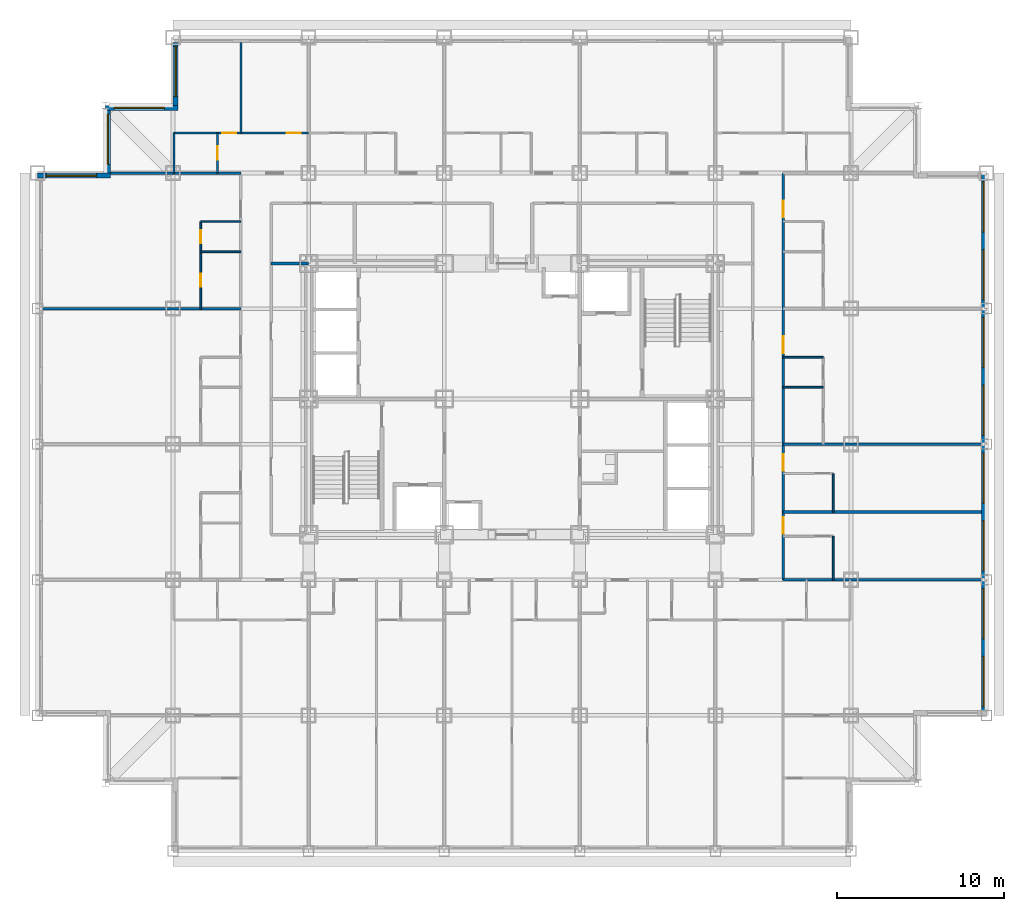
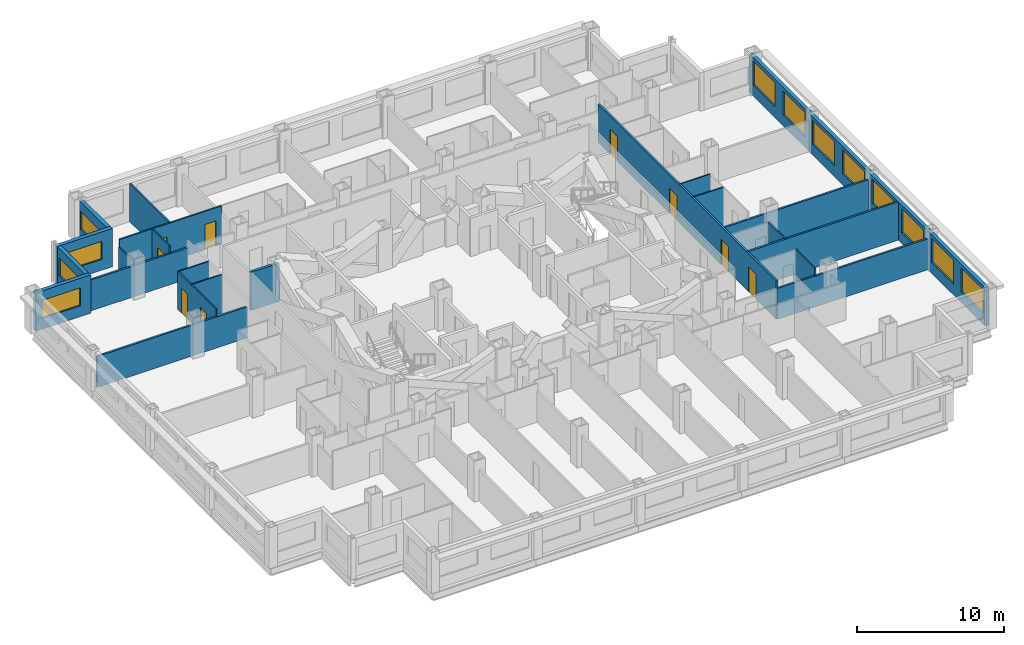
# One storey, part 8 of 13: 23 walls, 12 windows, 9 doors, 21 openings.
"""IFC4 building model written with IfcOpenShell, lengths in metres."""

from ifc_helpers import new_model, si_unit, direction, frame, frame_2d, origin, place, context, subcontext, project, spatial, rectangle, extrude, material, layer, layer_set, type_object, element, fill, save


model = new_model("IFC4")

# Units and contexts
model_context = context("Model", 3, precision=1e-05, world=origin(), true_north=direction((0.0, 1.0)))
body_context = subcontext(model_context, "Body", "Model", "MODEL_VIEW")
ifc_project = project(units=[si_unit("LENGTHUNIT", "METRE"), si_unit("AREAUNIT", "SQUARE_METRE"), si_unit("VOLUMEUNIT", "CUBIC_METRE"), si_unit("PLANEANGLEUNIT", "RADIAN"), si_unit("MASSUNIT", "GRAM", prefix="KILO")], contexts=[model_context])

# Site, building, storey
site_placement = place(None, origin())
site = spatial("IfcSite", under=ifc_project, at=site_placement, CompositionType="ELEMENT")
building_placement = place(site_placement, origin())
building = spatial("IfcBuilding", under=site, at=building_placement, Name="Kopane Lantern Tower", CompositionType="ELEMENT")
storey_placement = place(building_placement, frame((0.0, 0.0, 110.199951171875)))
storey = spatial("IfcBuildingStorey", under=building, at=storey_placement, Name="L27", CompositionType="ELEMENT", Elevation=110.199951171875)

# Wall, openings, doors
ifc_material_1 = material(Name="Gypsum board on steel studs", Category="steel")
ifc_layer_1 = layer(ifc_material_1, 0.1201171875)
ifc_layer_set_1 = layer_set([ifc_layer_1], Name="APARTMENT INTERNAL WALL 120")
wall_type_1 = type_object("IfcWallType", Name="APARTMENT INTERNAL WALL 120", PredefinedType="PARTITIONING", material=ifc_layer_set_1)
wall_1_placement = place(storey_placement, frame((8.14990234375, 48.300048828125, 0.0), z_axis=(0.0, 0.0, 1.0), x_axis=(1.0, 0.0, 0.0)))
wall_1 = element("IfcWall", 1, at=wall_1_placement, inside=storey, type_object=wall_type_1, Name="Apartment Internal Wall 120 L27", PredefinedType="PARTITIONING", context=body_context, shape_type="SweptSolid", body=[
    extrude(rectangle(XDim=8.050048828125, YDim=0.1201171875, at=frame_2d((4.02490234375, 0.0))), origin(), (0.0, 0.0, 1.0), 3.18994140625),
])
opening_1_placement = place(wall_1_placement, frame((6.72509765625, 0.0, 0.0)))
opening_1 = element("IfcOpeningElement", 2, at=opening_1_placement, cuts=wall_1, Name="Opening L27-064", PredefinedType="OPENING", context=body_context, shape_type="SweptSolid", body=[
    extrude(rectangle(XDim=0.85009765625, YDim=2.10009765625, at=frame_2d((0.425048828125, 1.050048828125))), frame((0.0, 0.070068359375, 0.0), z_axis=(0.0, -1.0, 0.0), x_axis=(1.0, 0.0, 0.0)), (0.0, 0.0, 1.0), 0.14013671875),
])
opening_2_placement = place(wall_1_placement, frame((2.875, 0.0, 0.0)))
opening_2 = element("IfcOpeningElement", 3, at=opening_2_placement, cuts=wall_1, Name="Opening L27-066", PredefinedType="OPENING", context=body_context, shape_type="SweptSolid", body=[
    extrude(rectangle(XDim=0.85009765625, YDim=2.10009765625, at=frame_2d((0.425048828125, 1.050048828125))), frame((0.0, 0.070068359375, 0.0), z_axis=(0.0, -1.0, 0.0), x_axis=(1.0, 0.0, 0.0)), (0.0, 0.0, 1.0), 0.14013671875),
])
ifc_material_2 = material(Name="Timber door set", Category="wood")
door_type_1 = type_object("IfcDoorType", Name="DOOR D4 850x2100", OperationType="SINGLE_SWING_LEFT", PredefinedType="DOOR", material=ifc_material_2)
door_1_placement = place(opening_1_placement, origin())
door_1 = element("IfcDoor", 4, at=door_1_placement, inside=storey, type_object=door_type_1, Name="Door L27-064", OperationType="SINGLE_SWING_LEFT", OverallHeight=2.10009765625, OverallWidth=0.85009765625, PredefinedType="DOOR", context=body_context, shape_type="SweptSolid", body=[
    extrude(rectangle(XDim=0.85009765625, YDim=2.10009765625, at=frame_2d((0.425048828125, 1.050048828125))), frame((0.0, 0.02490234375, 0.0), z_axis=(0.0, -1.0, 0.0), x_axis=(1.0, 0.0, 0.0)), (0.0, 0.0, 1.0), 0.050048828125),
])
fill(opening_1, door_1)
door_2_placement = place(opening_2_placement, origin())
door_2 = element("IfcDoor", 5, at=door_2_placement, inside=storey, type_object=door_type_1, Name="Door L27-066", OperationType="SINGLE_SWING_RIGHT", OverallHeight=2.10009765625, OverallWidth=0.85009765625, PredefinedType="DOOR", context=body_context, shape_type="SweptSolid", body=[
    extrude(rectangle(XDim=0.85009765625, YDim=2.10009765625, at=frame_2d((0.425048828125, 1.050048828125))), frame((0.0, 0.02490234375, 0.0), z_axis=(0.0, -1.0, 0.0), x_axis=(1.0, 0.0, 0.0)), (0.0, 0.0, 1.0), 0.050048828125),
])
fill(opening_2, door_2)

# Wall
wall_2_placement = place(storey_placement, frame((12.14990234375, 48.300048828125, 0.0), z_axis=(0.0, 0.0, 1.0), x_axis=(0.0, 1.0, 0.0)))
element("IfcWall", 6, at=wall_2_placement, inside=storey, type_object=wall_type_1, Name="Apartment Internal Wall 120 L27", PredefinedType="PARTITIONING", context=body_context, shape_type="SweptSolid", body=[
    extrude(rectangle(XDim=5.39990234375, YDim=0.1201171875, at=frame_2d((2.699951171875, 0.0))), origin(), (0.0, 0.0, 1.0), 3.18994140625),
])

# Wall, openings, doors
ifc_material_3 = material(Name="Moisture-resistant board on steel studs", Category="steel")
ifc_layer_2 = layer(ifc_material_3, 0.10009765625)
ifc_layer_set_2 = layer_set([ifc_layer_2], Name="BATHROOM WALL 100")
wall_type_2 = type_object("IfcWallType", Name="BATHROOM WALL 100", PredefinedType="PARTITIONING", material=ifc_layer_set_2)
wall_3_placement = place(storey_placement, frame((9.75, 37.800048828125, 0.0), z_axis=(0.0, 0.0, 1.0), x_axis=(0.0, 1.0, 0.0)))
wall_3 = element("IfcWall", 7, at=wall_3_placement, inside=storey, type_object=wall_type_2, Name="Bathroom Wall 100 L27", PredefinedType="PARTITIONING", context=body_context, shape_type="SweptSolid", body=[
    extrude(rectangle(XDim=5.199951171875, YDim=0.10009765625, at=frame_2d((2.60009765625, 0.0))), origin(), (0.0, 0.0, 1.0), 3.18994140625),
])
opening_3_placement = place(wall_3_placement, frame((1.300048828125, 0.0, 0.0)))
opening_3 = element("IfcOpeningElement", 8, at=opening_3_placement, cuts=wall_3, Name="Opening L27-036", PredefinedType="OPENING", context=body_context, shape_type="SweptSolid", body=[
    extrude(rectangle(XDim=0.800048828125, YDim=2.10009765625, at=frame_2d((0.39990234375, 1.050048828125))), frame((0.0, 0.06005859375, 0.0), z_axis=(0.0, -1.0, 0.0), x_axis=(1.0, 0.0, 0.0)), (0.0, 0.0, 1.0), 0.1201171875),
])
opening_4_placement = place(wall_3_placement, frame((3.89990234375, 0.0, 0.0)))
opening_4 = element("IfcOpeningElement", 9, at=opening_4_placement, cuts=wall_3, Name="Opening L27-037", PredefinedType="OPENING", context=body_context, shape_type="SweptSolid", body=[
    extrude(rectangle(XDim=0.800048828125, YDim=2.10009765625, at=frame_2d((0.39990234375, 1.050048828125))), frame((0.0, 0.06005859375, 0.0), z_axis=(0.0, -1.0, 0.0), x_axis=(1.0, 0.0, 0.0)), (0.0, 0.0, 1.0), 0.1201171875),
])
ifc_material_4 = material(Name="Timber door set", Category="wood")
door_type_2 = type_object("IfcDoorType", Name="DOOR D2 800x2100", OperationType="SINGLE_SWING_LEFT", PredefinedType="DOOR", material=ifc_material_4)
door_3_placement = place(opening_3_placement, origin())
door_3 = element("IfcDoor", 10, at=door_3_placement, inside=storey, type_object=door_type_2, Name="Door L27-036", OperationType="SINGLE_SWING_LEFT", OverallHeight=2.10009765625, OverallWidth=0.800048828125, PredefinedType="DOOR", context=body_context, shape_type="SweptSolid", body=[
    extrude(rectangle(XDim=0.800048828125, YDim=2.10009765625, at=frame_2d((0.39990234375, 1.050048828125))), frame((0.0, 0.02490234375, 0.0), z_axis=(0.0, -1.0, 0.0), x_axis=(1.0, 0.0, 0.0)), (0.0, 0.0, 1.0), 0.050048828125),
])
fill(opening_3, door_3)
door_4_placement = place(opening_4_placement, origin())
door_4 = element("IfcDoor", 11, at=door_4_placement, inside=storey, type_object=door_type_2, Name="Door L27-037", OperationType="SINGLE_SWING_LEFT", OverallHeight=2.10009765625, OverallWidth=0.800048828125, PredefinedType="DOOR", context=body_context, shape_type="SweptSolid", body=[
    extrude(rectangle(XDim=0.800048828125, YDim=2.10009765625, at=frame_2d((0.39990234375, 1.050048828125))), frame((0.0, 0.02490234375, 0.0), z_axis=(0.0, -1.0, 0.0), x_axis=(1.0, 0.0, 0.0)), (0.0, 0.0, 1.0), 0.050048828125),
])
fill(opening_4, door_4)

# Walls
for number, where, z_axis, x_axis, name in (
    (12, (12.14990234375, 41.199951171875, 0.0), (0.0, 0.0, 1.0), (-1.0, 0.0, 0.0), "Bathroom Wall 100 L27"),
    (13, (12.14990234375, 43.0, 0.0), (0.0, 0.0, 1.0), (-1.0, 0.0, 0.0), "Bathroom Wall 100 L27"),
):
    element("IfcWall", number, at=place(storey_placement, frame(where, z_axis=z_axis, x_axis=x_axis)), inside=storey, type_object=wall_type_2, Name=name, PredefinedType="PARTITIONING", context=body_context, shape_type="SweptSolid", body=[
        extrude(rectangle(XDim=2.39990234375, YDim=0.10009765625, at=frame_2d((1.199951171875, 0.0))), origin(), (0.0, 0.0, 1.0), 3.18994140625),
    ])
wall_4_placement = place(storey_placement, frame((47.550048828125, 21.60009765625, 0.0), z_axis=(0.0, 0.0, 1.0), x_axis=(0.0, 1.0, 0.0)))
element("IfcWall", 14, at=wall_4_placement, inside=storey, type_object=wall_type_2, Name="Bathroom Wall 100 L27", PredefinedType="PARTITIONING", context=body_context, shape_type="SweptSolid", body=[
    extrude(rectangle(XDim=2.599853515625, YDim=0.10009765625, at=frame_2d((1.2998046875, 0.0))), origin(), (0.0, 0.0, 1.0), 3.18994140625),
])
wall_5_placement = place(storey_placement, frame((47.550048828125, 25.64990234375, 0.0), z_axis=(0.0, 0.0, 1.0), x_axis=(0.0, 1.0, 0.0)))
element("IfcWall", 15, at=wall_5_placement, inside=storey, type_object=wall_type_2, Name="Bathroom Wall 100 L27", PredefinedType="PARTITIONING", context=body_context, shape_type="SweptSolid", body=[
    extrude(rectangle(XDim=2.300048828125, YDim=0.10009765625, at=frame_2d((1.14990234375, 0.0))), origin(), (0.0, 0.0, 1.0), 3.18994140625),
])
for number, where, z_axis, x_axis, name in (
    (16, (44.550048828125, 33.10009765625, 0.0), (0.0, 0.0, 1.0), (1.0, 0.0, 0.0), "Bathroom Wall 100 L27"),
    (17, (44.550048828125, 34.89990234375, 0.0), (0.0, 0.0, 1.0), (1.0, 0.0, 0.0), "Bathroom Wall 100 L27"),
):
    element("IfcWall", number, at=place(storey_placement, frame(where, z_axis=z_axis, x_axis=x_axis)), inside=storey, type_object=wall_type_2, Name=name, PredefinedType="PARTITIONING", context=body_context, shape_type="SweptSolid", body=[
        extrude(rectangle(XDim=2.39990234375, YDim=0.10009765625, at=frame_2d((1.199951171875, 0.0))), origin(), (0.0, 0.0, 1.0), 3.18994140625),
    ])

# Wall, opening, door
wall_6_placement = place(storey_placement, frame((10.75, 45.89990234375, 0.0), z_axis=(0.0, 0.0, 1.0), x_axis=(0.0, 1.0, 0.0)))
wall_6 = element("IfcWall", 18, at=wall_6_placement, inside=storey, type_object=wall_type_2, Name="Bathroom Wall 100 L27", PredefinedType="PARTITIONING", context=body_context, shape_type="SweptSolid", body=[
    extrude(rectangle(XDim=2.400146484375, YDim=0.10009765625, at=frame_2d((1.2001953125, 0.0))), origin(), (0.0, 0.0, 1.0), 3.18994140625),
])
opening_5_placement = place(wall_6_placement, frame((0.800048828125, 0.0, 0.0)))
opening_5 = element("IfcOpeningElement", 19, at=opening_5_placement, cuts=wall_6, Name="Opening L27-065", PredefinedType="OPENING", context=body_context, shape_type="SweptSolid", body=[
    extrude(rectangle(XDim=0.800048828125, YDim=2.10009765625, at=frame_2d((0.39990234375, 1.050048828125))), frame((0.0, 0.06005859375, 0.0), z_axis=(0.0, -1.0, 0.0), x_axis=(1.0, 0.0, 0.0)), (0.0, 0.0, 1.0), 0.1201171875),
])
door_5_placement = place(opening_5_placement, origin())
door_5 = element("IfcDoor", 20, at=door_5_placement, inside=storey, type_object=door_type_2, Name="Door L27-065", OperationType="SINGLE_SWING_LEFT", OverallHeight=2.10009765625, OverallWidth=0.800048828125, PredefinedType="DOOR", context=body_context, shape_type="SweptSolid", body=[
    extrude(rectangle(XDim=0.800048828125, YDim=2.10009765625, at=frame_2d((0.39990234375, 1.050048828125))), frame((0.0, 0.02490234375, 0.0), z_axis=(0.0, -1.0, 0.0), x_axis=(1.0, 0.0, 0.0)), (0.0, 0.0, 1.0), 0.050048828125),
])
fill(opening_5, door_5)

# Wall
wall_7_placement = place(storey_placement, frame((8.14990234375, 45.89990234375, 0.0), z_axis=(0.0, 0.0, 1.0), x_axis=(0.0, 1.0, 0.0)))
element("IfcWall", 21, at=wall_7_placement, inside=storey, type_object=wall_type_2, Name="Bathroom Wall 100 L27", PredefinedType="PARTITIONING", context=body_context, shape_type="SweptSolid", body=[
    extrude(rectangle(XDim=2.400146484375, YDim=0.10009765625, at=frame_2d((1.2001953125, 0.0))), origin(), (0.0, 0.0, 1.0), 2.577880859375),
])

# Wall, openings, doors
ifc_material_5 = material(Name="Gypsum board on steel studs", Category="steel")
ifc_layer_3 = layer(ifc_material_5, 0.14990234375)
ifc_layer_set_3 = layer_set([ifc_layer_3], Name="CORRIDOR WALL 150 EI 60")
wall_type_3 = type_object("IfcWallType", Name="CORRIDOR WALL 150 EI 60", PredefinedType="PARTITIONING", material=ifc_layer_set_3)
wall_8_placement = place(storey_placement, frame((44.550048828125, 21.60009765625, 0.0), z_axis=(0.0, 0.0, 1.0), x_axis=(0.0, 1.0, 0.0)))
wall_8 = element("IfcWall", 22, at=wall_8_placement, inside=storey, type_object=wall_type_3, Name="Corridor Wall 150 Ei 60 L27", PredefinedType="PARTITIONING", context=body_context, shape_type="SweptSolid", body=[
    extrude(rectangle(XDim=24.2998046875, YDim=0.14990234375, at=frame_2d((12.14990234375, 0.0))), origin(), (0.0, 0.0, 1.0), 3.18994140625),
])
opening_6_placement = place(wall_8_placement, frame((2.75, 0.0, 0.0)))
opening_6 = element("IfcOpeningElement", 23, at=opening_6_placement, cuts=wall_8, Name="Opening L27-040", PredefinedType="OPENING", context=body_context, shape_type="SweptSolid", body=[
    extrude(rectangle(XDim=1.0, YDim=2.10009765625, at=frame_2d((0.5, 1.050048828125))), frame((0.0, 0.0849609375, 0.0), z_axis=(0.0, -1.0, 0.0), x_axis=(1.0, 0.0, 0.0)), (0.0, 0.0, 1.0), 0.169921875),
])
opening_7_placement = place(wall_8_placement, frame((6.5, 0.0, 0.0)))
opening_7 = element("IfcOpeningElement", 24, at=opening_7_placement, cuts=wall_8, Name="Opening L27-042", PredefinedType="OPENING", context=body_context, shape_type="SweptSolid", body=[
    extrude(rectangle(XDim=1.0, YDim=2.10009765625, at=frame_2d((0.5, 1.050048828125))), frame((0.0, 0.0849609375, 0.0), z_axis=(0.0, -1.0, 0.0), x_axis=(1.0, 0.0, 0.0)), (0.0, 0.0, 1.0), 0.169921875),
])
opening_8_placement = place(wall_8_placement, frame((13.550048828125, 0.0, 0.0)))
opening_8 = element("IfcOpeningElement", 25, at=opening_8_placement, cuts=wall_8, Name="Opening L27-045", PredefinedType="OPENING", context=body_context, shape_type="SweptSolid", body=[
    extrude(rectangle(XDim=1.0, YDim=2.10009765625, at=frame_2d((0.5, 1.050048828125))), frame((0.0, 0.0849609375, 0.0), z_axis=(0.0, -1.0, 0.0), x_axis=(1.0, 0.0, 0.0)), (0.0, 0.0, 1.0), 0.169921875),
])
opening_9_placement = place(wall_8_placement, frame((21.64990234375, 0.0, 0.0)))
opening_9 = element("IfcOpeningElement", 26, at=opening_9_placement, cuts=wall_8, Name="Opening L27-048", PredefinedType="OPENING", context=body_context, shape_type="SweptSolid", body=[
    extrude(rectangle(XDim=1.0, YDim=2.10009765625, at=frame_2d((0.5, 1.050048828125))), frame((0.0, 0.0849609375, 0.0), z_axis=(0.0, -1.0, 0.0), x_axis=(1.0, 0.0, 0.0)), (0.0, 0.0, 1.0), 0.169921875),
])
ifc_material_6 = material(Name="Steel door set", Category="steel")
door_type_3 = type_object("IfcDoorType", Name="DOOR D1 1000x2100 FD30S", OperationType="SINGLE_SWING_LEFT", PredefinedType="DOOR", material=ifc_material_6)
door_6_placement = place(opening_6_placement, origin())
door_6 = element("IfcDoor", 27, at=door_6_placement, inside=storey, type_object=door_type_3, Name="Door L27-040", OperationType="SINGLE_SWING_RIGHT", OverallHeight=2.10009765625, OverallWidth=1.0, PredefinedType="DOOR", context=body_context, shape_type="SweptSolid", body=[
    extrude(rectangle(XDim=1.0, YDim=2.10009765625, at=frame_2d((0.5, 1.050048828125))), frame((0.0, 0.02490234375, 0.0), z_axis=(0.0, -1.0, 0.0), x_axis=(1.0, 0.0, 0.0)), (0.0, 0.0, 1.0), 0.050048828125),
])
fill(opening_6, door_6)
door_7_placement = place(opening_7_placement, origin())
door_7 = element("IfcDoor", 28, at=door_7_placement, inside=storey, type_object=door_type_3, Name="Door L27-042", OperationType="SINGLE_SWING_RIGHT", OverallHeight=2.10009765625, OverallWidth=1.0, PredefinedType="DOOR", context=body_context, shape_type="SweptSolid", body=[
    extrude(rectangle(XDim=1.0, YDim=2.10009765625, at=frame_2d((0.5, 1.050048828125))), frame((0.0, 0.02490234375, 0.0), z_axis=(0.0, -1.0, 0.0), x_axis=(1.0, 0.0, 0.0)), (0.0, 0.0, 1.0), 0.050048828125),
])
fill(opening_7, door_7)
door_8_placement = place(opening_8_placement, origin())
door_8 = element("IfcDoor", 29, at=door_8_placement, inside=storey, type_object=door_type_3, Name="Door L27-045", OperationType="SINGLE_SWING_RIGHT", OverallHeight=2.10009765625, OverallWidth=1.0, PredefinedType="DOOR", context=body_context, shape_type="SweptSolid", body=[
    extrude(rectangle(XDim=1.0, YDim=2.10009765625, at=frame_2d((0.5, 1.050048828125))), frame((0.0, 0.02490234375, 0.0), z_axis=(0.0, -1.0, 0.0), x_axis=(1.0, 0.0, 0.0)), (0.0, 0.0, 1.0), 0.050048828125),
])
fill(opening_8, door_8)
door_9_placement = place(opening_9_placement, origin())
door_9 = element("IfcDoor", 30, at=door_9_placement, inside=storey, type_object=door_type_3, Name="Door L27-048", OperationType="SINGLE_SWING_RIGHT", OverallHeight=2.10009765625, OverallWidth=1.0, PredefinedType="DOOR", context=body_context, shape_type="SweptSolid", body=[
    extrude(rectangle(XDim=1.0, YDim=2.10009765625, at=frame_2d((0.5, 1.050048828125))), frame((0.0, 0.02490234375, 0.0), z_axis=(0.0, -1.0, 0.0), x_axis=(1.0, 0.0, 0.0)), (0.0, 0.0, 1.0), 0.050048828125),
])
fill(opening_9, door_9)

# Walls
ifc_material_7 = material(Name="Gypsum board on steel studs", Category="steel")
ifc_layer_4 = layer(ifc_material_7, 0.14990234375)
ifc_layer_set_4 = layer_set([ifc_layer_4], Name="DEMISING WALL 150 EI 60")
wall_type_4 = type_object("IfcWallType", Name="DEMISING WALL 150 EI 60", PredefinedType="PARTITIONING", material=ifc_layer_set_4)
wall_9_placement = place(storey_placement, frame((12.14990234375, 37.800048828125, 0.0), z_axis=(0.0, 0.0, 1.0), x_axis=(-1.0, 0.0, 0.0)))
element("IfcWall", 31, at=wall_9_placement, inside=storey, type_object=wall_type_4, Name="Demising Wall 150 Ei 60 L27", PredefinedType="PARTITIONING", context=body_context, shape_type="SweptSolid", body=[
    extrude(rectangle(XDim=11.849853515625, YDim=0.14990234375, at=frame_2d((5.9248046875, 0.0))), origin(), (0.0, 0.0, 1.0), 2.577880859375),
])
wall_10_placement = place(storey_placement, frame((44.550048828125, 25.64990234375, 0.0), z_axis=(0.0, 0.0, 1.0), x_axis=(1.0, 0.0, 0.0)))
element("IfcWall", 32, at=wall_10_placement, inside=storey, type_object=wall_type_4, Name="Demising Wall 150 Ei 60 L27", PredefinedType="PARTITIONING", context=body_context, shape_type="SweptSolid", body=[
    extrude(rectangle(XDim=11.849853515625, YDim=0.14990234375, at=frame_2d((5.9248046875, 0.0))), origin(), (0.0, 0.0, 1.0), 3.18994140625),
])
for number, where, z_axis, x_axis, name in (
    (33, (44.550048828125, 29.699951171875, 0.0), (0.0, 0.0, 1.0), (1.0, 0.0, 0.0), "Demising Wall 150 Ei 60 L27"),
    (34, (44.550048828125, 21.60009765625, 0.0), (0.0, 0.0, 1.0), (1.0, 0.0, 0.0), "Demising Wall 150 Ei 60 L27"),
):
    element("IfcWall", number, at=place(storey_placement, frame(where, z_axis=z_axis, x_axis=x_axis)), inside=storey, type_object=wall_type_4, Name=name, PredefinedType="PARTITIONING", context=body_context, shape_type="SweptSolid", body=[
        extrude(rectangle(XDim=11.849853515625, YDim=0.14990234375, at=frame_2d((5.9248046875, 0.0))), origin(), (0.0, 0.0, 1.0), 2.577880859375),
    ])
wall_11_placement = place(storey_placement, frame((4.35009765625, 45.89990234375, 0.0), z_axis=(0.0, 0.0, 1.0), x_axis=(1.0, 0.0, 0.0)))
element("IfcWall", 35, at=wall_11_placement, inside=storey, type_object=wall_type_4, Name="Demising Wall 150 Ei 60 L27", PredefinedType="PARTITIONING", context=body_context, shape_type="SweptSolid", body=[
    extrude(rectangle(XDim=7.7998046875, YDim=0.14990234375, at=frame_2d((3.89990234375, 0.0))), origin(), (0.0, 0.0, 1.0), 2.577880859375),
])

# Wall, openings, windows
ifc_material_8 = material(Name="Terracotta rainscreen on light steel framing", Category="masonry")
ifc_layer_5 = layer(ifc_material_8, 0.300048828125)
ifc_layer_set_5 = layer_set([ifc_layer_5], Name="EXTERNAL WALL EW1 300 TERRACOTTA")
wall_type_5 = type_object("IfcWallType", Name="EXTERNAL WALL EW1 300 TERRACOTTA", PredefinedType="SOLIDWALL", material=ifc_layer_set_5)
wall_12_placement = place(storey_placement, frame((56.550048828125, 13.800048828125, 0.0), z_axis=(0.0, 0.0, 1.0), x_axis=(0.0, 1.0, 0.0)))
wall_12 = element("IfcWall", 36, at=wall_12_placement, inside=storey, type_object=wall_type_5, Name="External wall E L27", PredefinedType="SOLIDWALL", context=body_context, shape_type="SweptSolid", body=[
    extrude(rectangle(XDim=32.099853515625, YDim=0.300048828125, at=frame_2d((16.0498046875, 0.0))), origin(), (0.0, 0.0, 1.0), 3.18994140625),
])
opening_10_placement = place(wall_12_placement, frame((0.22509765625, 0.0, 0.89990234375)))
opening_10 = element("IfcOpeningElement", 37, at=opening_10_placement, cuts=wall_12, Name="Opening WR300200", PredefinedType="OPENING", context=body_context, shape_type="SweptSolid", body=[
    extrude(rectangle(XDim=3.0, YDim=2.0, at=frame_2d((1.5, 1.0))), frame((0.0, 0.159912109375, 0.0), z_axis=(0.0, -1.0, 0.0), x_axis=(1.0, 0.0, 0.0)), (0.0, 0.0, 1.0), 0.320068359375),
])
opening_11_placement = place(wall_12_placement, frame((4.27490234375, 0.0, 0.89990234375)))
opening_11 = element("IfcOpeningElement", 38, at=opening_11_placement, cuts=wall_12, Name="Opening WR300200", PredefinedType="OPENING", context=body_context, shape_type="SweptSolid", body=[
    extrude(rectangle(XDim=3.0, YDim=2.0, at=frame_2d((1.5, 1.0))), frame((0.0, 0.159912109375, 0.0), z_axis=(0.0, -1.0, 0.0), x_axis=(1.0, 0.0, 0.0)), (0.0, 0.0, 1.0), 0.320068359375),
])
opening_12_placement = place(wall_12_placement, frame((8.324951171875, 0.0, 0.89990234375)))
opening_12 = element("IfcOpeningElement", 39, at=opening_12_placement, cuts=wall_12, Name="Opening WR300200", PredefinedType="OPENING", context=body_context, shape_type="SweptSolid", body=[
    extrude(rectangle(XDim=3.0, YDim=2.0, at=frame_2d((1.5, 1.0))), frame((0.0, 0.159912109375, 0.0), z_axis=(0.0, -1.0, 0.0), x_axis=(1.0, 0.0, 0.0)), (0.0, 0.0, 1.0), 0.320068359375),
])
opening_13_placement = place(wall_12_placement, frame((12.375, 0.0, 0.89990234375)))
opening_13 = element("IfcOpeningElement", 40, at=opening_13_placement, cuts=wall_12, Name="Opening WR300200", PredefinedType="OPENING", context=body_context, shape_type="SweptSolid", body=[
    extrude(rectangle(XDim=3.0, YDim=2.0, at=frame_2d((1.5, 1.0))), frame((0.0, 0.159912109375, 0.0), z_axis=(0.0, -1.0, 0.0), x_axis=(1.0, 0.0, 0.0)), (0.0, 0.0, 1.0), 0.320068359375),
])
opening_14_placement = place(wall_12_placement, frame((16.425048828125, 0.0, 0.89990234375)))
opening_14 = element("IfcOpeningElement", 41, at=opening_14_placement, cuts=wall_12, Name="Opening WR300200", PredefinedType="OPENING", context=body_context, shape_type="SweptSolid", body=[
    extrude(rectangle(XDim=3.0, YDim=2.0, at=frame_2d((1.5, 1.0))), frame((0.0, 0.159912109375, 0.0), z_axis=(0.0, -1.0, 0.0), x_axis=(1.0, 0.0, 0.0)), (0.0, 0.0, 1.0), 0.320068359375),
])
opening_15_placement = place(wall_12_placement, frame((20.47509765625, 0.0, 0.89990234375)))
opening_15 = element("IfcOpeningElement", 42, at=opening_15_placement, cuts=wall_12, Name="Opening WR300200", PredefinedType="OPENING", context=body_context, shape_type="SweptSolid", body=[
    extrude(rectangle(XDim=3.0, YDim=2.0, at=frame_2d((1.5, 1.0))), frame((0.0, 0.159912109375, 0.0), z_axis=(0.0, -1.0, 0.0), x_axis=(1.0, 0.0, 0.0)), (0.0, 0.0, 1.0), 0.320068359375),
])
opening_16_placement = place(wall_12_placement, frame((24.52490234375, 0.0, 0.89990234375)))
opening_16 = element("IfcOpeningElement", 43, at=opening_16_placement, cuts=wall_12, Name="Opening WR300200", PredefinedType="OPENING", context=body_context, shape_type="SweptSolid", body=[
    extrude(rectangle(XDim=3.0, YDim=2.0, at=frame_2d((1.5, 1.0))), frame((0.0, 0.159912109375, 0.0), z_axis=(0.0, -1.0, 0.0), x_axis=(1.0, 0.0, 0.0)), (0.0, 0.0, 1.0), 0.320068359375),
])
opening_17_placement = place(wall_12_placement, frame((28.574951171875, 0.0, 0.89990234375)))
opening_17 = element("IfcOpeningElement", 44, at=opening_17_placement, cuts=wall_12, Name="Opening WR300200", PredefinedType="OPENING", context=body_context, shape_type="SweptSolid", body=[
    extrude(rectangle(XDim=3.0, YDim=2.0, at=frame_2d((1.5, 1.0))), frame((0.0, 0.159912109375, 0.0), z_axis=(0.0, -1.0, 0.0), x_axis=(1.0, 0.0, 0.0)), (0.0, 0.0, 1.0), 0.320068359375),
])
ifc_material_9 = material(Name="Aluminium and clear glass", Category="aluminium")
window_type_1 = type_object("IfcWindowType", Name="RIBBON WINDOW WR300200 3000x2000", PartitioningType="SINGLE_PANEL", PredefinedType="WINDOW", material=ifc_material_9)
window_1_placement = place(opening_10_placement, origin())
window_1 = element("IfcWindow", 45, at=window_1_placement, inside=storey, type_object=window_type_1, Name="Window E L27", OverallHeight=2.0, OverallWidth=3.0, PartitioningType="SINGLE_PANEL", PredefinedType="WINDOW", context=body_context, shape_type="SweptSolid", body=[
    extrude(rectangle(XDim=3.0, YDim=2.0, at=frame_2d((1.5, 1.0))), frame((0.0, 0.030029296875, 0.0), z_axis=(0.0, -1.0, 0.0), x_axis=(1.0, 0.0, 0.0)), (0.0, 0.0, 1.0), 0.06005859375),
])
fill(opening_10, window_1)
window_2_placement = place(opening_11_placement, origin())
window_2 = element("IfcWindow", 46, at=window_2_placement, inside=storey, type_object=window_type_1, Name="Window E L27", OverallHeight=2.0, OverallWidth=3.0, PartitioningType="SINGLE_PANEL", PredefinedType="WINDOW", context=body_context, shape_type="SweptSolid", body=[
    extrude(rectangle(XDim=3.0, YDim=2.0, at=frame_2d((1.5, 1.0))), frame((0.0, 0.030029296875, 0.0), z_axis=(0.0, -1.0, 0.0), x_axis=(1.0, 0.0, 0.0)), (0.0, 0.0, 1.0), 0.06005859375),
])
fill(opening_11, window_2)
window_3_placement = place(opening_12_placement, origin())
window_3 = element("IfcWindow", 47, at=window_3_placement, inside=storey, type_object=window_type_1, Name="Window E L27", OverallHeight=2.0, OverallWidth=3.0, PartitioningType="SINGLE_PANEL", PredefinedType="WINDOW", context=body_context, shape_type="SweptSolid", body=[
    extrude(rectangle(XDim=3.0, YDim=2.0, at=frame_2d((1.5, 1.0))), frame((0.0, 0.030029296875, 0.0), z_axis=(0.0, -1.0, 0.0), x_axis=(1.0, 0.0, 0.0)), (0.0, 0.0, 1.0), 0.06005859375),
])
fill(opening_12, window_3)
window_4_placement = place(opening_13_placement, origin())
window_4 = element("IfcWindow", 48, at=window_4_placement, inside=storey, type_object=window_type_1, Name="Window E L27", OverallHeight=2.0, OverallWidth=3.0, PartitioningType="SINGLE_PANEL", PredefinedType="WINDOW", context=body_context, shape_type="SweptSolid", body=[
    extrude(rectangle(XDim=3.0, YDim=2.0, at=frame_2d((1.5, 1.0))), frame((0.0, 0.030029296875, 0.0), z_axis=(0.0, -1.0, 0.0), x_axis=(1.0, 0.0, 0.0)), (0.0, 0.0, 1.0), 0.06005859375),
])
fill(opening_13, window_4)
window_5_placement = place(opening_14_placement, origin())
window_5 = element("IfcWindow", 49, at=window_5_placement, inside=storey, type_object=window_type_1, Name="Window E L27", OverallHeight=2.0, OverallWidth=3.0, PartitioningType="SINGLE_PANEL", PredefinedType="WINDOW", context=body_context, shape_type="SweptSolid", body=[
    extrude(rectangle(XDim=3.0, YDim=2.0, at=frame_2d((1.5, 1.0))), frame((0.0, 0.030029296875, 0.0), z_axis=(0.0, -1.0, 0.0), x_axis=(1.0, 0.0, 0.0)), (0.0, 0.0, 1.0), 0.06005859375),
])
fill(opening_14, window_5)
window_6_placement = place(opening_15_placement, origin())
window_6 = element("IfcWindow", 50, at=window_6_placement, inside=storey, type_object=window_type_1, Name="Window E L27", OverallHeight=2.0, OverallWidth=3.0, PartitioningType="SINGLE_PANEL", PredefinedType="WINDOW", context=body_context, shape_type="SweptSolid", body=[
    extrude(rectangle(XDim=3.0, YDim=2.0, at=frame_2d((1.5, 1.0))), frame((0.0, 0.030029296875, 0.0), z_axis=(0.0, -1.0, 0.0), x_axis=(1.0, 0.0, 0.0)), (0.0, 0.0, 1.0), 0.06005859375),
])
fill(opening_15, window_6)
window_7_placement = place(opening_16_placement, origin())
window_7 = element("IfcWindow", 51, at=window_7_placement, inside=storey, type_object=window_type_1, Name="Window E L27", OverallHeight=2.0, OverallWidth=3.0, PartitioningType="SINGLE_PANEL", PredefinedType="WINDOW", context=body_context, shape_type="SweptSolid", body=[
    extrude(rectangle(XDim=3.0, YDim=2.0, at=frame_2d((1.5, 1.0))), frame((0.0, 0.030029296875, 0.0), z_axis=(0.0, -1.0, 0.0), x_axis=(1.0, 0.0, 0.0)), (0.0, 0.0, 1.0), 0.06005859375),
])
fill(opening_16, window_7)
window_8_placement = place(opening_17_placement, origin())
window_8 = element("IfcWindow", 52, at=window_8_placement, inside=storey, type_object=window_type_1, Name="Window E L27", OverallHeight=2.0, OverallWidth=3.0, PartitioningType="SINGLE_PANEL", PredefinedType="WINDOW", context=body_context, shape_type="SweptSolid", body=[
    extrude(rectangle(XDim=3.0, YDim=2.0, at=frame_2d((1.5, 1.0))), frame((0.0, 0.030029296875, 0.0), z_axis=(0.0, -1.0, 0.0), x_axis=(1.0, 0.0, 0.0)), (0.0, 0.0, 1.0), 0.06005859375),
])
fill(opening_17, window_8)

# Wall, opening, window
wall_13_placement = place(storey_placement, frame((8.25, 53.699951171875, 0.0), z_axis=(0.0, 0.0, 1.0), x_axis=(0.0, -1.0, 0.0)))
wall_13 = element("IfcWall", 53, at=wall_13_placement, inside=storey, type_object=wall_type_5, Name="External wall W L27", PredefinedType="SOLIDWALL", context=body_context, shape_type="SweptSolid", body=[
    extrude(rectangle(XDim=3.75, YDim=0.300048828125, at=frame_2d((1.875, 0.0))), origin(), (0.0, 0.0, 1.0), 3.18994140625),
])
opening_18_placement = place(wall_13_placement, frame((0.22509765625, 0.0, 0.89990234375)))
opening_18 = element("IfcOpeningElement", 54, at=opening_18_placement, cuts=wall_13, Name="Opening WR300150", PredefinedType="OPENING", context=body_context, shape_type="SweptSolid", body=[
    extrude(rectangle(XDim=3.0, YDim=1.5, at=frame_2d((1.5, 0.75))), frame((0.0, 0.159912109375, 0.0), z_axis=(0.0, -1.0, 0.0), x_axis=(1.0, 0.0, 0.0)), (0.0, 0.0, 1.0), 0.320068359375),
])
ifc_material_10 = material(Name="Aluminium and clear glass", Category="aluminium")
window_type_2 = type_object("IfcWindowType", Name="RIBBON WINDOW WR300150 3000x1500", PartitioningType="SINGLE_PANEL", PredefinedType="WINDOW", material=ifc_material_10)
window_9_placement = place(opening_18_placement, origin())
window_9 = element("IfcWindow", 55, at=window_9_placement, inside=storey, type_object=window_type_2, Name="Window W L27", OverallHeight=1.5, OverallWidth=3.0, PartitioningType="SINGLE_PANEL", PredefinedType="WINDOW", context=body_context, shape_type="SweptSolid", body=[
    extrude(rectangle(XDim=3.0, YDim=1.5, at=frame_2d((1.5, 0.75))), frame((0.0, 0.030029296875, 0.0), z_axis=(0.0, -1.0, 0.0), x_axis=(1.0, 0.0, 0.0)), (0.0, 0.0, 1.0), 0.06005859375),
])
fill(opening_18, window_9)

wall_14_placement = place(storey_placement, frame((8.39990234375, 49.800048828125, 0.0), z_axis=(0.0, 0.0, 1.0), x_axis=(-1.0, 0.0, 0.0)))
wall_14 = element("IfcWall", 56, at=wall_14_placement, inside=storey, type_object=wall_type_5, Name="External wall N L27", PredefinedType="SOLIDWALL", context=body_context, shape_type="SweptSolid", body=[
    extrude(rectangle(XDim=4.349853515625, YDim=0.300048828125, at=frame_2d((2.1748046875, 0.0))), origin(), (0.0, 0.0, 1.0), 3.18994140625),
])
opening_19_placement = place(wall_14_placement, frame((0.824951171875, 0.0, 0.89990234375)))
opening_19 = element("IfcOpeningElement", 57, at=opening_19_placement, cuts=wall_14, Name="Opening WR300150", PredefinedType="OPENING", context=body_context, shape_type="SweptSolid", body=[
    extrude(rectangle(XDim=3.0, YDim=1.5, at=frame_2d((1.5, 0.75))), frame((0.0, 0.159912109375, 0.0), z_axis=(0.0, -1.0, 0.0), x_axis=(1.0, 0.0, 0.0)), (0.0, 0.0, 1.0), 0.320068359375),
])
window_10_placement = place(opening_19_placement, origin())
window_10 = element("IfcWindow", 58, at=window_10_placement, inside=storey, type_object=window_type_2, Name="Window N L27", OverallHeight=1.5, OverallWidth=3.0, PartitioningType="SINGLE_PANEL", PredefinedType="WINDOW", context=body_context, shape_type="SweptSolid", body=[
    extrude(rectangle(XDim=3.0, YDim=1.5, at=frame_2d((1.5, 0.75))), frame((0.0, 0.030029296875, 0.0), z_axis=(0.0, -1.0, 0.0), x_axis=(1.0, 0.0, 0.0)), (0.0, 0.0, 1.0), 0.06005859375),
])
fill(opening_19, window_10)

wall_15_placement = place(storey_placement, frame((4.199951171875, 49.64990234375, 0.0), z_axis=(0.0, 0.0, 1.0), x_axis=(0.0, -1.0, 0.0)))
wall_15 = element("IfcWall", 59, at=wall_15_placement, inside=storey, type_object=wall_type_5, Name="External wall W L27", PredefinedType="SOLIDWALL", context=body_context, shape_type="SweptSolid", body=[
    extrude(rectangle(XDim=3.75, YDim=0.300048828125, at=frame_2d((1.875, 0.0))), origin(), (0.0, 0.0, 1.0), 3.18994140625),
])
opening_20_placement = place(wall_15_placement, frame((0.22509765625, 0.0, 0.89990234375)))
opening_20 = element("IfcOpeningElement", 60, at=opening_20_placement, cuts=wall_15, Name="Opening WR300150", PredefinedType="OPENING", context=body_context, shape_type="SweptSolid", body=[
    extrude(rectangle(XDim=3.0, YDim=1.5, at=frame_2d((1.5, 0.75))), frame((0.0, 0.159912109375, 0.0), z_axis=(0.0, -1.0, 0.0), x_axis=(1.0, 0.0, 0.0)), (0.0, 0.0, 1.0), 0.320068359375),
])
window_11_placement = place(opening_20_placement, origin())
window_11 = element("IfcWindow", 61, at=window_11_placement, inside=storey, type_object=window_type_2, Name="Window W L27", OverallHeight=1.5, OverallWidth=3.0, PartitioningType="SINGLE_PANEL", PredefinedType="WINDOW", context=body_context, shape_type="SweptSolid", body=[
    extrude(rectangle(XDim=3.0, YDim=1.5, at=frame_2d((1.5, 0.75))), frame((0.0, 0.030029296875, 0.0), z_axis=(0.0, -1.0, 0.0), x_axis=(1.0, 0.0, 0.0)), (0.0, 0.0, 1.0), 0.06005859375),
])
fill(opening_20, window_11)

wall_16_placement = place(storey_placement, frame((4.35009765625, 45.75, 0.0), z_axis=(0.0, 0.0, 1.0), x_axis=(-1.0, 0.0, 0.0)))
wall_16 = element("IfcWall", 62, at=wall_16_placement, inside=storey, type_object=wall_type_5, Name="External wall N L27", PredefinedType="SOLIDWALL", context=body_context, shape_type="SweptSolid", body=[
    extrude(rectangle(XDim=4.35009765625, YDim=0.300048828125, at=frame_2d((2.175048828125, 0.0))), origin(), (0.0, 0.0, 1.0), 3.18994140625),
])
opening_21_placement = place(wall_16_placement, frame((0.824951171875, 0.0, 0.89990234375)))
opening_21 = element("IfcOpeningElement", 63, at=opening_21_placement, cuts=wall_16, Name="Opening WR300150", PredefinedType="OPENING", context=body_context, shape_type="SweptSolid", body=[
    extrude(rectangle(XDim=3.0, YDim=1.5, at=frame_2d((1.5, 0.75))), frame((0.0, 0.159912109375, 0.0), z_axis=(0.0, -1.0, 0.0), x_axis=(1.0, 0.0, 0.0)), (0.0, 0.0, 1.0), 0.320068359375),
])
window_12_placement = place(opening_21_placement, origin())
window_12 = element("IfcWindow", 64, at=window_12_placement, inside=storey, type_object=window_type_2, Name="Window N L27", OverallHeight=1.5, OverallWidth=3.0, PartitioningType="SINGLE_PANEL", PredefinedType="WINDOW", context=body_context, shape_type="SweptSolid", body=[
    extrude(rectangle(XDim=3.0, YDim=1.5, at=frame_2d((1.5, 0.75))), frame((0.0, 0.030029296875, 0.0), z_axis=(0.0, -1.0, 0.0), x_axis=(1.0, 0.0, 0.0)), (0.0, 0.0, 1.0), 0.06005859375),
])
fill(opening_21, window_12)

# Wall
ifc_material_11 = material(Name="Concrete masonry", Category="masonry")
ifc_layer_6 = layer(ifc_material_11, 0.199951171875)
ifc_layer_set_6 = layer_set([ifc_layer_6], Name="PLANT ROOM WALL 200 EI 120")
wall_type_6 = type_object("IfcWallType", Name="PLANT ROOM WALL 200 EI 120", PredefinedType="SOLIDWALL", material=ifc_layer_set_6)
wall_17_placement = place(storey_placement, frame((13.949951171875, 40.5, 0.0), z_axis=(0.0, 0.0, 1.0), x_axis=(1.0, 0.0, 0.0)))
element("IfcWall", 65, at=wall_17_placement, inside=storey, type_object=wall_type_6, Name="Plant Room Wall 200 Ei 120 L27", PredefinedType="SOLIDWALL", context=body_context, shape_type="SweptSolid", body=[
    extrude(rectangle(XDim=2.25, YDim=0.199951171875, at=frame_2d((1.125, 0.0))), origin(), (0.0, 0.0, 1.0), 3.18994140625),
])

save(model, "model.ifc")
